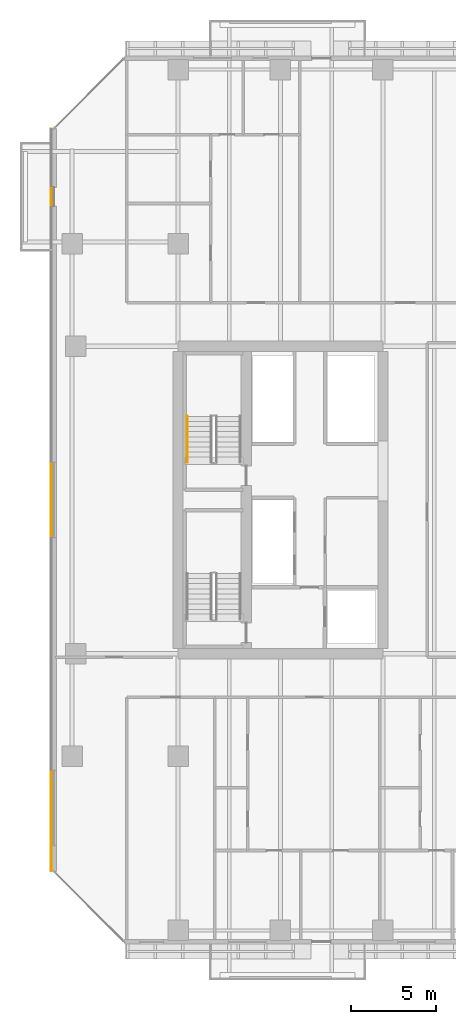
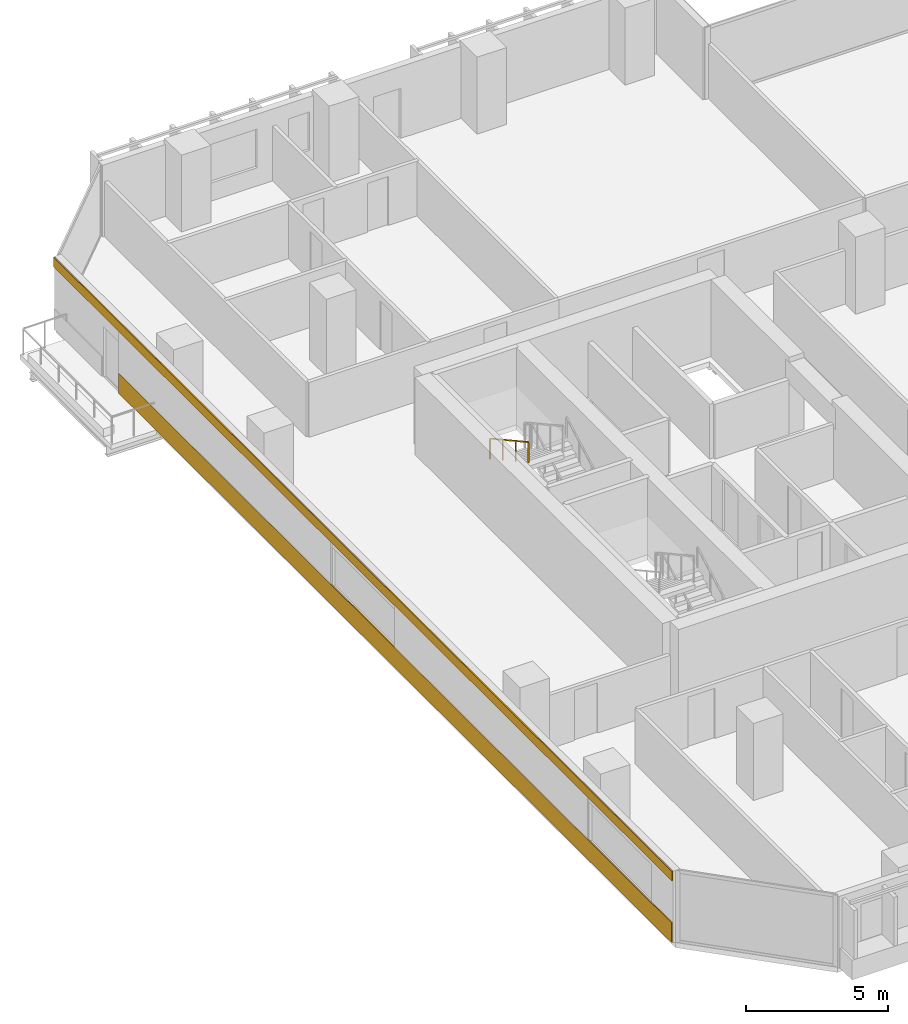
# One storey, part 26 of 33: 2 coverings, 1 railing.
"""IFC4 building model written with IfcOpenShell, lengths in metres."""

from ifc_helpers import new_model, si_unit, direction, frame, origin, origin_2d, place, context, subcontext, project, spatial, rectangle, extrude, material, layer, layer_set, type_object, element, save


model = new_model("IFC4")

# Units and contexts
model_context = context("Model", 3, precision=1e-05, world=origin(), true_north=direction((0.0, 1.0)))
body_context = subcontext(model_context, "Body", "Model", "MODEL_VIEW")
ifc_project = project(units=[si_unit("LENGTHUNIT", "METRE"), si_unit("AREAUNIT", "SQUARE_METRE"), si_unit("VOLUMEUNIT", "CUBIC_METRE"), si_unit("PLANEANGLEUNIT", "RADIAN"), si_unit("MASSUNIT", "GRAM", prefix="KILO")], contexts=[model_context])

# Site, building, storey
site_placement = place(None, origin())
site = spatial("IfcSite", under=ifc_project, at=site_placement, CompositionType="ELEMENT")
building_placement = place(site_placement, origin())
building = spatial("IfcBuilding", under=site, at=building_placement, Name="Tanjung Sevakor Pilgrim Tower", CompositionType="ELEMENT")
storey_placement = place(building_placement, frame((0.0, 0.0, 52.139892578125)))
storey = spatial("IfcBuildingStorey", under=building, at=storey_placement, Name="L14", CompositionType="ELEMENT", Elevation=52.139892578125)

# Coverings
ifc_material_1 = material(Name="Reconstructed Limestone Cladding", Category="masonry")
ifc_layer = layer(ifc_material_1, 0.044921875)
ifc_layer_set = layer_set([ifc_layer], Name="COV-CLAD-LIMESTONE")
covering_type = type_object("IfcCoveringType", Name="COV-CLAD-LIMESTONE", PredefinedType="CLADDING", material=ifc_layer_set)
covering_1_placement = place(storey_placement, frame((16.577392578125, 31.319091796875, 0.01025390625), z_axis=(0.0, 0.0, 1.0), x_axis=(0.0, -1.0, 0.0)))
element("IfcCovering", 1, at=covering_1_placement, inside=storey, type_object=covering_type, Name="L14 Warm Limestone Sill Spandrel EW-L14-MAIN-15-2", PredefinedType="CLADDING", context=body_context, shape_type="SweptSolid", body=[
    extrude(rectangle(XDim=38.842041015625, YDim=0.044921875, at=origin_2d()), origin(), (0.0, 0.0, 1.0), 0.840087890625),
])
covering_2_placement = place(storey_placement, frame((16.577392578125, 33.60009765625, 2.66015625), z_axis=(0.0, 0.0, 1.0), x_axis=(0.0, -1.0, 0.0)))
element("IfcCovering", 2, at=covering_2_placement, inside=storey, type_object=covering_type, Name="L14 Warm Limestone Cornice Spandrel EW-L14-MAIN-15", PredefinedType="CLADDING", context=body_context, shape_type="SweptSolid", body=[
    extrude(rectangle(XDim=43.444091796875, YDim=0.044921875, at=origin_2d()), origin(), (0.0, 0.0, 1.0), 0.409912109375),
])

# Railing
ifc_material_2 = material(Name="Steel S355J2", Category="steel")
railing_type = type_object("IfcRailingType", Name="RL-STAIR-HAND", PredefinedType="HANDRAIL", material=ifc_material_2)
railing_placement = place(storey_placement, frame((24.550048828125, 38.5, 1.815185546875)))
element("IfcRailing", 3, at=railing_placement, inside=storey, type_object=railing_type, Name="L14 TS-W2 stair handrail 2", PredefinedType="HANDRAIL", context=body_context, shape_type="SweptSolid", body=[
    extrude(rectangle(XDim=0.0479, YDim=0.0479), frame((0.0, 0.0, 0.8759765625), z_axis=(0.0, -0.876230963923, 0.481891375584), x_axis=(1.0, 0.0, 0.0)), (0.0, 0.0, 1.0), 3.081298828125),
    extrude(rectangle(XDim=0.042, YDim=0.042), origin(), (0.0, 0.0, 1.0), 0.851806640625),
    extrude(rectangle(XDim=0.042, YDim=0.042), frame((0.0, -0.89990234375, 0.494873046875)), (0.0, 0.0, 1.0), 0.851806640625),
    extrude(rectangle(XDim=0.042, YDim=0.042), frame((0.0, -1.800048828125, 0.989990234375)), (0.0, 0.0, 1.0), 0.851806640625),
    extrude(rectangle(XDim=0.042, YDim=0.042), frame((0.0, -2.699951171875, 1.48486328125)), (0.0, 0.0, 1.0), 0.851806640625),
])

save(model, "model.ifc")
